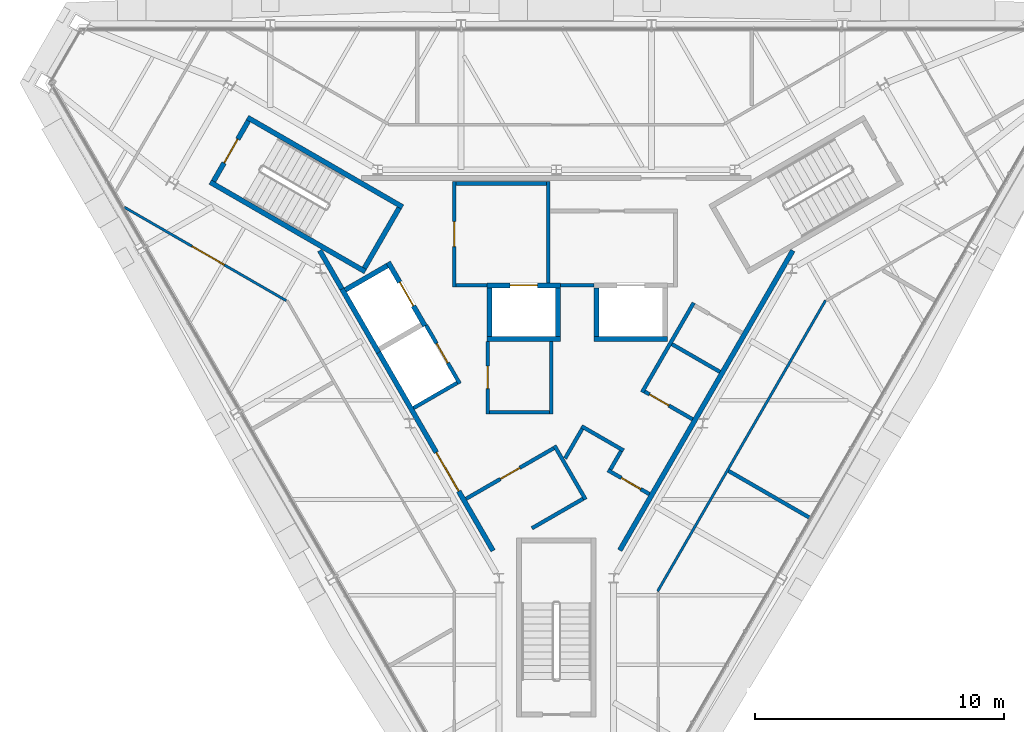
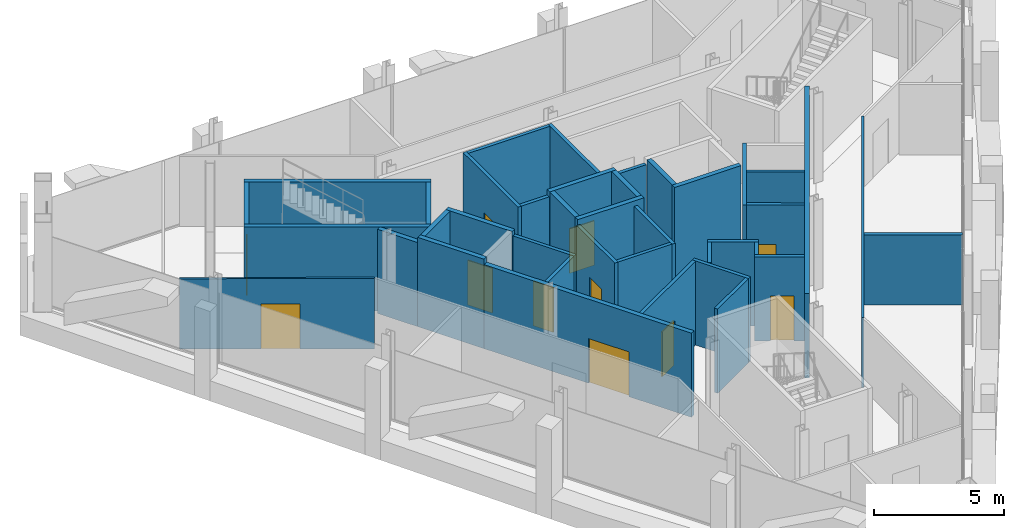
# One storey, part 9 of 13: 39 walls, 11 doors, 11 openings.
"""IFC4 building model written with IfcOpenShell, lengths in metres."""

from ifc_helpers import new_model, si_unit, direction, frame, frame_2d, origin, place, context, subcontext, project, spatial, rectangle, extrude, material, layer, layer_set, type_object, element, fill, save


model = new_model("IFC4")

# Units and contexts
model_context = context("Model", 3, precision=1e-05, world=origin(), true_north=direction((0.0, 1.0)))
body_context = subcontext(model_context, "Body", "Model", "MODEL_VIEW")
ifc_project = project(units=[si_unit("LENGTHUNIT", "METRE"), si_unit("AREAUNIT", "SQUARE_METRE"), si_unit("VOLUMEUNIT", "CUBIC_METRE"), si_unit("PLANEANGLEUNIT", "RADIAN"), si_unit("MASSUNIT", "GRAM", prefix="KILO")], contexts=[model_context])

# Site, building, storey
site_placement = place(None, origin())
site = spatial("IfcSite", under=ifc_project, at=site_placement, CompositionType="ELEMENT")
building_placement = place(site_placement, origin())
building = spatial("IfcBuilding", under=site, at=building_placement, Name="Verrane Prism Tower", CompositionType="ELEMENT")
storey_placement = place(building_placement, frame((0.0, 0.0, 316.800048828125)))
storey = spatial("IfcBuildingStorey", under=building, at=storey_placement, Name="L80", CompositionType="ELEMENT", Elevation=316.800048828125)

# Wall
ifc_material_1 = material(Name="Gypsum board partition", Category="other")
ifc_layer_1 = layer(ifc_material_1, 0.199951171875)
ifc_layer_set_1 = layer_set([ifc_layer_1], Name="CW-200 core boundary wall 2 h")
wall_type_1 = type_object("IfcWallType", Name="CW-200 core boundary wall 2 h", PredefinedType="PARTITIONING", material=ifc_layer_set_1)
wall_1_placement = place(storey_placement, frame((-9.509033203125, 3.550537109375, 0.0), z_axis=(0.0, 0.0, 1.0), x_axis=(0.499999136801, -0.866025902152, 0.0)))
element("IfcWall", 1, at=wall_1_placement, inside=storey, type_object=wall_type_1, Name="Core boundary wall CW3-001", PredefinedType="PARTITIONING", context=body_context, shape_type="SweptSolid", body=[
    extrude(rectangle(XDim=1.7822265625, YDim=0.199951171875, at=frame_2d((0.89111328125, 0.0))), origin(), (0.0, 0.0, 1.0), 3.949951171875),
])

# Wall, opening, door
wall_2_placement = place(storey_placement, frame((-7.14111328125, -0.551025390625, 0.0), z_axis=(0.0, 0.0, 1.0), x_axis=(0.499992795234, -0.866029563418, 0.0)))
wall_2 = element("IfcWall", 2, at=wall_2_placement, inside=storey, type_object=wall_type_1, Name="Core boundary wall CW3-003", PredefinedType="PARTITIONING", context=body_context, shape_type="SweptSolid", body=[
    extrude(rectangle(XDim=9.198486328125, YDim=0.199951171875, at=frame_2d((4.59912109375, 0.0))), origin(), (0.0, 0.0, 1.0), 3.949951171875),
])
opening_1_placement = place(wall_2_placement, frame((4.634033203125, 0.0, 0.0)))
opening_1 = element("IfcOpeningElement", 3, at=opening_1_placement, cuts=wall_2, Name="Opening D80507", PredefinedType="OPENING", context=body_context, shape_type="SweptSolid", body=[
    extrude(rectangle(XDim=1.800048828125, YDim=2.10009765625, at=frame_2d((0.89990234375, 1.050048828125))), frame((0.0, 0.10986328125, 0.0), z_axis=(0.0, -1.0, 0.0), x_axis=(1.0, 0.0, 0.0)), (0.0, 0.0, 1.0), 0.219970703125),
])
ifc_material_2 = material(Name="Timber veneered door leaf", Category="wood")
door_type_1 = type_object("IfcDoorType", Name="DR-1800x2100 FD60 double leaf lift lobby", OperationType="NOTDEFINED", PredefinedType="DOOR", material=ifc_material_2)
door_1_placement = place(opening_1_placement, origin())
door_1 = element("IfcDoor", 4, at=door_1_placement, inside=storey, type_object=door_type_1, Name="Lift lobby door D80507", OperationType="DOUBLE_DOOR_SINGLE_SWING", OverallHeight=2.10009765625, OverallWidth=1.800048828125, PredefinedType="DOOR", context=body_context, shape_type="SweptSolid", body=[
    extrude(rectangle(XDim=1.800048828125, YDim=2.10009765625, at=frame_2d((0.89990234375, 1.050048828125))), frame((0.0, 0.02490234375, 0.0), z_axis=(0.0, -1.0, 0.0), x_axis=(1.0, 0.0, 0.0)), (0.0, 0.0, 1.0), 0.050048828125),
])
fill(opening_1, door_1)

# Wall
wall_3_placement = place(storey_placement, frame((2.552001953125, -8.5, 0.0), z_axis=(0.0, 0.0, 1.0), x_axis=(0.499981156672, 0.866036282712, 0.0)))
element("IfcWall", 5, at=wall_3_placement, inside=storey, type_object=wall_type_1, Name="Core boundary wall CW3-004", PredefinedType="PARTITIONING", context=body_context, shape_type="SweptSolid", body=[
    extrude(rectangle(XDim=13.91455078125, YDim=0.199951171875, at=frame_2d((6.957275390625, 0.0))), origin(), (0.0, 0.0, 1.0), 3.949951171875),
])

# Wall, opening, door
ifc_material_3 = material(Name="Concrete C40/50", Category="concrete")
ifc_layer_2 = layer(ifc_material_3, 0.199951171875)
ifc_layer_set_2 = layer_set([ifc_layer_2], Name="CW-200 stair core wall concrete C40/50 3 h")
wall_type_2 = type_object("IfcWallType", Name="CW-200 stair core wall concrete C40/50 3 h", PredefinedType="PARTITIONING", material=ifc_layer_set_2)
wall_4_placement = place(storey_placement, frame((-12.376953125, 8.762451171875, 0.0), z_axis=(0.0, 0.0, 1.0), x_axis=(-0.500049511043, -0.865996816683, 0.0)))
wall_4 = element("IfcWall", 6, at=wall_4_placement, inside=storey, type_object=wall_type_2, Name="Stair 2 enclosure wall", PredefinedType="PARTITIONING", context=body_context, shape_type="SweptSolid", body=[
    extrude(rectangle(XDim=2.800048828125, YDim=0.199951171875, at=frame_2d((1.39990234375, 0.0))), origin(), (0.0, 0.0, 1.0), 3.949951171875),
])
opening_2_placement = place(wall_4_placement, frame((0.849853515625, 0.0, 0.0)))
opening_2 = element("IfcOpeningElement", 7, at=opening_2_placement, cuts=wall_4, Name="Opening D80501", PredefinedType="OPENING", context=body_context, shape_type="SweptSolid", body=[
    extrude(rectangle(XDim=1.10009765625, YDim=2.10009765625, at=frame_2d((0.550048828125, 1.050048828125))), frame((0.0, 0.10986328125, 0.0), z_axis=(0.0, -1.0, 0.0), x_axis=(1.0, 0.0, 0.0)), (0.0, 0.0, 1.0), 0.219970703125),
])
ifc_material_4 = material(Name="Timber veneered door leaf", Category="wood")
door_type_2 = type_object("IfcDoorType", Name="DR-1100x2100 FD90 single leaf stair", OperationType="NOTDEFINED", PredefinedType="DOOR", material=ifc_material_4)
door_2_placement = place(opening_2_placement, origin())
door_2 = element("IfcDoor", 8, at=door_2_placement, inside=storey, type_object=door_type_2, Name="Stair 2 door", OperationType="SINGLE_SWING_RIGHT", OverallHeight=2.10009765625, OverallWidth=1.10009765625, PredefinedType="DOOR", context=body_context, shape_type="SweptSolid", body=[
    extrude(rectangle(XDim=1.10009765625, YDim=2.10009765625, at=frame_2d((0.550048828125, 1.050048828125))), frame((0.0, 0.02490234375, 0.0), z_axis=(0.0, -1.0, 0.0), x_axis=(1.0, 0.0, 0.0)), (0.0, 0.0, 1.0), 0.050048828125),
])
fill(opening_2, door_2)

# Walls
for number, where, z_axis, x_axis, name in (
    (9, (-7.67822265625, 2.700927734375, 0.0), (0.0, 0.0, 1.0), (-0.866018442252, 0.500012057535, 0.0), "Stair 2 enclosure wall"),
    (10, (-6.17822265625, 5.299072265625, 0.0), (0.0, 0.0, 1.0), (-0.866033125095, 0.499986626058, 0.0), "Stair 2 enclosure wall"),
):
    element("IfcWall", number, at=place(storey_placement, frame(where, z_axis=z_axis, x_axis=x_axis)), inside=storey, type_object=wall_type_2, Name=name, PredefinedType="PARTITIONING", context=body_context, shape_type="SweptSolid", body=[
        extrude(rectangle(XDim=7.199951171875, YDim=0.199951171875, at=frame_2d((3.60009765625, 0.0))), origin(), (0.0, 0.0, 1.0), 3.949951171875),
    ])
wall_5_placement = place(storey_placement, frame((-6.314697265625, 5.262451171875, 0.0), z_axis=(0.0, 0.0, 1.0), x_axis=(-0.500049511043, -0.865996816683, 0.0)))
element("IfcWall", 11, at=wall_5_placement, inside=storey, type_object=wall_type_2, Name="Stair 2 enclosure wall", PredefinedType="PARTITIONING", context=body_context, shape_type="SweptSolid", body=[
    extrude(rectangle(XDim=2.800048828125, YDim=0.199951171875, at=frame_2d((1.39990234375, 0.0))), origin(), (0.0, 0.0, 1.0), 3.949951171875),
])
ifc_material_5 = material(Name="Gypsum board shaft wall assembly", Category="other")
ifc_layer_3 = layer(ifc_material_5, 0.199951171875)
ifc_layer_set_3 = layer_set([ifc_layer_3], Name="HW-200 lift shaft wall 2 h")
wall_type_3 = type_object("IfcWallType", Name="HW-200 lift shaft wall 2 h", PredefinedType="PARTITIONING", material=ifc_layer_set_3)
wall_6_placement = place(storey_placement, frame((-2.784912109375, 0.0, 0.0), z_axis=(0.0, 0.0, 1.0), x_axis=(1.0, 0.0, 0.0)))
element("IfcWall", 12, at=wall_6_placement, inside=storey, type_object=wall_type_3, Name="Lift shaft wall", PredefinedType="PARTITIONING", context=body_context, shape_type="SweptSolid", body=[
    extrude(rectangle(XDim=2.949951171875, YDim=0.199951171875, at=frame_2d((1.47509765625, 0.0))), origin(), (0.0, 0.0, 1.0), 4.199951171875),
])
wall_7_placement = place(storey_placement, frame((1.52490234375, 0.0, 0.0), z_axis=(0.0, 0.0, 1.0), x_axis=(1.0, 0.0, 0.0)))
element("IfcWall", 13, at=wall_7_placement, inside=storey, type_object=wall_type_3, Name="Lift shaft wall", PredefinedType="PARTITIONING", context=body_context, shape_type="SweptSolid", body=[
    extrude(rectangle(XDim=2.9501953125, YDim=0.199951171875, at=frame_2d((1.47509765625, 0.0))), origin(), (0.0, 0.0, 1.0), 4.199951171875),
])

# Wall, opening, door
wall_8_placement = place(storey_placement, frame((-2.784912109375, 2.14990234375, 0.0), z_axis=(0.0, 0.0, 1.0), x_axis=(1.0, 0.0, 0.0)))
wall_8 = element("IfcWall", 14, at=wall_8_placement, inside=storey, type_object=wall_type_3, Name="Lift shaft wall", PredefinedType="PARTITIONING", context=body_context, shape_type="SweptSolid", body=[
    extrude(rectangle(XDim=2.949951171875, YDim=0.199951171875, at=frame_2d((1.47509765625, 0.0))), origin(), (0.0, 0.0, 1.0), 4.199951171875),
])
opening_3_placement = place(wall_8_placement, frame((0.925048828125, 0.0, 0.0)))
opening_3 = element("IfcOpeningElement", 15, at=opening_3_placement, cuts=wall_8, Name="Opening D80503", PredefinedType="OPENING", context=body_context, shape_type="SweptSolid", body=[
    extrude(rectangle(XDim=1.10009765625, YDim=2.10009765625, at=frame_2d((0.550048828125, 1.050048828125))), frame((0.0, 0.10986328125, 0.0), z_axis=(0.0, -1.0, 0.0), x_axis=(1.0, 0.0, 0.0)), (0.0, 0.0, 1.0), 0.219970703125),
])
ifc_material_6 = material(Name="Stainless steel sliding landing door", Category="steel")
door_type_3 = type_object("IfcDoorType", Name="LD-1100x2100 lift landing door FD90 sliding", OperationType="NOTDEFINED", PredefinedType="DOOR", material=ifc_material_6)
door_3_placement = place(opening_3_placement, origin())
door_3 = element("IfcDoor", 16, at=door_3_placement, inside=storey, type_object=door_type_3, Name="Fire service lift 1 landing door", OperationType="SLIDING_TO_LEFT", OverallHeight=2.10009765625, OverallWidth=1.10009765625, PredefinedType="DOOR", context=body_context, shape_type="SweptSolid", body=[
    extrude(rectangle(XDim=1.10009765625, YDim=2.10009765625, at=frame_2d((0.550048828125, 1.050048828125))), frame((0.0, 0.02490234375, 0.0), z_axis=(0.0, -1.0, 0.0), x_axis=(1.0, 0.0, 0.0)), (0.0, 0.0, 1.0), 0.050048828125),
])
fill(opening_3, door_3)

# Walls
for number, where, z_axis, x_axis, name in (
    (17, (-8.48046875, 1.968505859375, 0.0), (0.0, 0.0, 1.0), (0.866000020948, 0.500043961785, 0.0), "Lift shaft wall"),
    (18, (1.625, 0.10009765625, 0.0), (0.0, 0.0, 1.0), (0.0, 1.0, 0.0), "Lift shaft wall"),
    (19, (0.06494140625, 0.10009765625, 0.0), (0.0, 0.0, 1.0), (0.0, 1.0, 0.0), "Lift shaft wall"),
    (20, (-2.68505859375, 0.10009765625, 0.0), (0.0, 0.0, 1.0), (0.0, 1.0, 0.0), "Lift shaft wall"),
):
    element("IfcWall", number, at=place(storey_placement, frame(where, z_axis=z_axis, x_axis=x_axis)), inside=storey, type_object=wall_type_3, Name=name, PredefinedType="PARTITIONING", context=body_context, shape_type="SweptSolid", body=[
        extrude(rectangle(XDim=1.949951171875, YDim=0.199951171875, at=frame_2d((0.97509765625, 0.0))), origin(), (0.0, 0.0, 1.0), 4.199951171875),
    ])

# Wall, opening, door
wall_9_placement = place(storey_placement, frame((-5.280029296875, 0.525390625, 0.0), z_axis=(0.0, 0.0, 1.0), x_axis=(-0.500037662692, 0.866003658127, 0.0)))
wall_9 = element("IfcWall", 21, at=wall_9_placement, inside=storey, type_object=wall_type_3, Name="Lift shaft wall", PredefinedType="PARTITIONING", context=body_context, shape_type="SweptSolid", body=[
    extrude(rectangle(XDim=2.949951171875, YDim=0.199951171875, at=frame_2d((1.47509765625, 0.0))), origin(), (0.0, 0.0, 1.0), 4.199951171875),
])
opening_4_placement = place(wall_9_placement, frame((0.925048828125, 0.0, 0.0)))
opening_4 = element("IfcOpeningElement", 22, at=opening_4_placement, cuts=wall_9, Name="Opening D80505", PredefinedType="OPENING", context=body_context, shape_type="SweptSolid", body=[
    extrude(rectangle(XDim=1.10009765625, YDim=2.10009765625, at=frame_2d((0.550048828125, 1.050048828125))), frame((0.0, 0.10986328125, 0.0), z_axis=(0.0, -1.0, 0.0), x_axis=(1.0, 0.0, 0.0)), (0.0, 0.0, 1.0), 0.219970703125),
])
door_4_placement = place(opening_4_placement, origin())
door_4 = element("IfcDoor", 23, at=door_4_placement, inside=storey, type_object=door_type_3, Name="Service lift 1 landing door", OperationType="SLIDING_TO_LEFT", OverallHeight=2.10009765625, OverallWidth=1.10009765625, PredefinedType="DOOR", context=body_context, shape_type="SweptSolid", body=[
    extrude(rectangle(XDim=1.10009765625, YDim=2.10009765625, at=frame_2d((0.550048828125, 1.050048828125))), frame((0.0, 0.02490234375, 0.0), z_axis=(0.0, -1.0, 0.0), x_axis=(1.0, 0.0, 0.0)), (0.0, 0.0, 1.0), 0.050048828125),
])
fill(opening_4, door_4)

# Wall
wall_10_placement = place(storey_placement, frame((-7.14208984375, -0.549560546875, 0.0), z_axis=(0.0, 0.0, 1.0), x_axis=(-0.49997559174, 0.866039495442, 0.0)))
element("IfcWall", 24, at=wall_10_placement, inside=storey, type_object=wall_type_3, Name="Lift shaft wall", PredefinedType="PARTITIONING", context=body_context, shape_type="SweptSolid", body=[
    extrude(rectangle(XDim=2.949951171875, YDim=0.199951171875, at=frame_2d((1.47509765625, 0.0))), origin(), (0.0, 0.0, 1.0), 4.199951171875),
])

# Wall, opening, door
ifc_material_7 = material(Name="Gypsum board partition", Category="other")
ifc_layer_4 = layer(ifc_material_7, 0.14990234375)
ifc_layer_set_4 = layer_set([ifc_layer_4], Name="LF-150 firefighting lobby wall 1 h")
wall_type_4 = type_object("IfcWallType", Name="LF-150 firefighting lobby wall 1 h", PredefinedType="PARTITIONING", material=ifc_layer_set_4)
wall_11_placement = place(storey_placement, frame((-4.10009765625, 2.0849609375, 0.0), z_axis=(0.0, 0.0, 1.0), x_axis=(0.0, 1.0, 0.0)))
wall_11 = element("IfcWall", 25, at=wall_11_placement, inside=storey, type_object=wall_type_4, Name="Firefighting lobby wall LF1-001", PredefinedType="PARTITIONING", context=body_context, shape_type="SweptSolid", body=[
    extrude(rectangle(XDim=4.22998046875, YDim=0.14990234375, at=frame_2d((2.114990234375, 0.0))), origin(), (0.0, 0.0, 1.0), 3.949951171875),
])
opening_5_placement = place(wall_11_placement, frame((1.625, 0.0, 0.0)))
opening_5 = element("IfcOpeningElement", 26, at=opening_5_placement, cuts=wall_11, Name="Opening D80509", PredefinedType="OPENING", context=body_context, shape_type="SweptSolid", body=[
    extrude(rectangle(XDim=1.0, YDim=2.10009765625, at=frame_2d((0.5, 1.050048828125))), frame((0.0, 0.0849609375, 0.0), z_axis=(0.0, -1.0, 0.0), x_axis=(1.0, 0.0, 0.0)), (0.0, 0.0, 1.0), 0.169921875),
])
ifc_material_8 = material(Name="Timber veneered door leaf", Category="wood")
door_type_4 = type_object("IfcDoorType", Name="DR-1000x2100 FD60 single leaf firefighting lobby", OperationType="NOTDEFINED", PredefinedType="DOOR", material=ifc_material_8)
door_5_placement = place(opening_5_placement, origin())
door_5 = element("IfcDoor", 27, at=door_5_placement, inside=storey, type_object=door_type_4, Name="Firefighting lobby door D80509", OperationType="SINGLE_SWING_LEFT", OverallHeight=2.10009765625, OverallWidth=1.0, PredefinedType="DOOR", context=body_context, shape_type="SweptSolid", body=[
    extrude(rectangle(XDim=1.0, YDim=2.10009765625, at=frame_2d((0.5, 1.050048828125))), frame((0.0, 0.02490234375, 0.0), z_axis=(0.0, -1.0, 0.0), x_axis=(1.0, 0.0, 0.0)), (0.0, 0.0, 1.0), 0.050048828125),
])
fill(opening_5, door_5)

# Walls
wall_12_placement = place(storey_placement, frame((-4.02490234375, 2.159912109375, 0.0), z_axis=(0.0, 0.0, 1.0), x_axis=(1.0, 0.0, 0.0)))
element("IfcWall", 28, at=wall_12_placement, inside=storey, type_object=wall_type_4, Name="Firefighting lobby wall LF1-002", PredefinedType="PARTITIONING", context=body_context, shape_type="SweptSolid", body=[
    extrude(rectangle(XDim=1.23779296875, YDim=0.14990234375, at=frame_2d((0.618896484375, 0.0))), origin(), (0.0, 0.0, 1.0), 3.949951171875),
])
wall_13_placement = place(storey_placement, frame((-4.02490234375, 6.239990234375, 0.0), z_axis=(0.0, 0.0, 1.0), x_axis=(1.0, 0.0, 0.0)))
element("IfcWall", 29, at=wall_13_placement, inside=storey, type_object=wall_type_4, Name="Firefighting lobby wall LF1-003", PredefinedType="PARTITIONING", context=body_context, shape_type="SweptSolid", body=[
    extrude(rectangle(XDim=3.6298828125, YDim=0.14990234375, at=frame_2d((1.81494140625, 0.0))), origin(), (0.0, 0.0, 1.0), 3.949951171875),
])
wall_14_placement = place(storey_placement, frame((-0.320068359375, 2.251953125, 0.0), z_axis=(0.0, 0.0, 1.0), x_axis=(0.0, 1.0, 0.0)))
element("IfcWall", 30, at=wall_14_placement, inside=storey, type_object=wall_type_4, Name="Firefighting lobby wall LF1-004", PredefinedType="PARTITIONING", context=body_context, shape_type="SweptSolid", body=[
    extrude(rectangle(XDim=4.06298828125, YDim=0.14990234375, at=frame_2d((2.031494140625, 0.0))), origin(), (0.0, 0.0, 1.0), 3.949951171875),
])
wall_15_placement = place(storey_placement, frame((0.1669921875, 2.159912109375, 0.0), z_axis=(0.0, 0.0, 1.0), x_axis=(1.0, 0.0, 0.0)))
element("IfcWall", 31, at=wall_15_placement, inside=storey, type_object=wall_type_4, Name="Firefighting lobby wall LF1-006", PredefinedType="PARTITIONING", context=body_context, shape_type="SweptSolid", body=[
    extrude(rectangle(XDim=1.35595703125, YDim=0.14990234375, at=frame_2d((0.677978515625, 0.0))), origin(), (0.0, 0.0, 1.0), 3.949951171875),
])

# Wall, opening, door
ifc_material_9 = material(Name="Gypsum board partition", Category="other")
ifc_layer_5 = layer(ifc_material_9, 0.10009765625)
ifc_layer_set_5 = layer_set([ifc_layer_5], Name="PW-100 crown corridor wall 1 h")
wall_type_5 = type_object("IfcWallType", Name="PW-100 crown corridor wall 1 h", PredefinedType="PARTITIONING", material=ifc_layer_set_5)
wall_16_placement = place(storey_placement, frame((-10.858642578125, 1.537109375, 0.0), z_axis=(0.0, 0.0, 1.0), x_axis=(-0.866105995393, 0.499860385252, 0.0)))
wall_16 = element("IfcWall", 32, at=wall_16_placement, inside=storey, type_object=wall_type_5, Name="Corridor wall 002", PredefinedType="PARTITIONING", context=body_context, shape_type="SweptSolid", body=[
    extrude(rectangle(XDim=7.508056640625, YDim=0.10009765625, at=frame_2d((3.75390625, 0.0))), origin(), (0.0, 0.0, 1.0), 3.296875),
])
opening_6_placement = place(wall_16_placement, frame((2.871826171875, 0.0, 0.0)))
opening_6 = element("IfcOpeningElement", 33, at=opening_6_placement, cuts=wall_16, Name="Opening D80005", PredefinedType="OPENING", context=body_context, shape_type="SweptSolid", body=[
    extrude(rectangle(XDim=1.5, YDim=2.10009765625, at=frame_2d((0.75, 1.050048828125))), frame((0.0, 0.06005859375, 0.0), z_axis=(0.0, -1.0, 0.0), x_axis=(1.0, 0.0, 0.0)), (0.0, 0.0, 1.0), 0.1201171875),
])
ifc_material_10 = material(Name="Timber veneered door leaf", Category="wood")
door_type_5 = type_object("IfcDoorType", Name="DR-1500x2100 FD60 double leaf unit", OperationType="NOTDEFINED", PredefinedType="DOOR", material=ifc_material_10)
door_6_placement = place(opening_6_placement, origin())
door_6 = element("IfcDoor", 34, at=door_6_placement, inside=storey, type_object=door_type_5, Name="Mechanical Plant Room door", OperationType="DOUBLE_DOOR_SINGLE_SWING", OverallHeight=2.10009765625, OverallWidth=1.5, PredefinedType="DOOR", context=body_context, shape_type="SweptSolid", body=[
    extrude(rectangle(XDim=1.5, YDim=2.10009765625, at=frame_2d((0.75, 1.050048828125))), frame((0.0, 0.02490234375, 0.0), z_axis=(0.0, -1.0, 0.0), x_axis=(1.0, 0.0, 0.0)), (0.0, 0.0, 1.0), 0.050048828125),
])
fill(opening_6, door_6)

# Walls
wall_17_placement = place(storey_placement, frame((4.074951171875, -10.145263671875, 0.0), z_axis=(0.0, 0.0, 1.0), x_axis=(0.499912942625, 0.866075660549, 0.0)))
element("IfcWall", 35, at=wall_17_placement, inside=storey, type_object=wall_type_5, Name="Corridor wall 013", PredefinedType="PARTITIONING", context=body_context, shape_type="SweptSolid", body=[
    extrude(rectangle(XDim=13.49853515625, YDim=0.10009765625, at=frame_2d((6.749267578125, 0.0))), origin(), (0.0, 0.0, 1.0), 3.296875),
])
ifc_material_11 = material(Name="Gypsum board partition", Category="other")
ifc_layer_6 = layer(ifc_material_11, 0.14990234375)
ifc_layer_set_6 = layer_set([ifc_layer_6], Name="PW-150 demising wall 1 h")
wall_type_6 = type_object("IfcWallType", Name="PW-150 demising wall 1 h", PredefinedType="PARTITIONING", material=ifc_layer_set_6)
wall_18_placement = place(storey_placement, frame((6.92431640625, -5.30908203125, 0.0), z_axis=(0.0, 0.0, 1.0), x_axis=(0.866029704776, -0.49999255039, 0.0)))
element("IfcWall", 36, at=wall_18_placement, inside=storey, type_object=wall_type_6, Name="Demising wall 015", PredefinedType="PARTITIONING", context=body_context, shape_type="SweptSolid", body=[
    extrude(rectangle(XDim=3.78173828125, YDim=0.14990234375, at=frame_2d((1.890869140625, 0.0))), origin(), (0.0, 0.0, 1.0), 3.296875),
])
ifc_material_12 = material(Name="Gypsum board partition", Category="other")
ifc_layer_7 = layer(ifc_material_12, 0.14990234375)
ifc_layer_set_7 = layer_set([ifc_layer_7], Name="RS-150 riser enclosure wall 1 h")
wall_type_7 = type_object("IfcWallType", Name="RS-150 riser enclosure wall 1 h", PredefinedType="PARTITIONING", material=ifc_layer_set_7)
wall_19_placement = place(storey_placement, frame((-5.7373046875, -2.781982421875, 0.0), z_axis=(0.0, 0.0, 1.0), x_axis=(0.866000843773, 0.500042536776, 0.0)))
element("IfcWall", 37, at=wall_19_placement, inside=storey, type_object=wall_type_7, Name="Riser wall RS3-001", PredefinedType="PARTITIONING", context=body_context, shape_type="SweptSolid", body=[
    extrude(rectangle(XDim=2.024658203125, YDim=0.14990234375, at=frame_2d((1.01220703125, 0.0))), origin(), (0.0, 0.0, 1.0), 3.949951171875),
])

# Wall, opening, door
wall_20_placement = place(storey_placement, frame((-3.881591796875, -1.796875, 0.0), z_axis=(0.0, 0.0, 1.0), x_axis=(-0.500016307898, 0.86601598821, 0.0)))
wall_20 = element("IfcWall", 38, at=wall_20_placement, inside=storey, type_object=wall_type_7, Name="Riser wall RS3-002", PredefinedType="PARTITIONING", context=body_context, shape_type="SweptSolid", body=[
    extrude(rectangle(XDim=2.708984375, YDim=0.14990234375, at=frame_2d((1.3544921875, 0.0))), origin(), (0.0, 0.0, 1.0), 3.949951171875),
])
opening_7_placement = place(wall_20_placement, frame((0.958984375, 0.0, 0.0)))
opening_7 = element("IfcOpeningElement", 39, at=opening_7_placement, cuts=wall_20, Name="Opening D80508", PredefinedType="OPENING", context=body_context, shape_type="SweptSolid", body=[
    extrude(rectangle(XDim=0.89990234375, YDim=2.10009765625, at=frame_2d((0.449951171875, 1.050048828125))), frame((0.0, 0.0849609375, 0.0), z_axis=(0.0, -1.0, 0.0), x_axis=(1.0, 0.0, 0.0)), (0.0, 0.0, 1.0), 0.169921875),
])
ifc_material_13 = material(Name="Timber veneered door leaf", Category="wood")
door_type_6 = type_object("IfcDoorType", Name="DR-900x2100 FD60 single leaf riser", OperationType="NOTDEFINED", PredefinedType="DOOR", material=ifc_material_13)
door_7_placement = place(opening_7_placement, origin())
door_7 = element("IfcDoor", 40, at=door_7_placement, inside=storey, type_object=door_type_6, Name="Riser door D80508", OperationType="SINGLE_SWING_LEFT", OverallHeight=2.10009765625, OverallWidth=0.89990234375, PredefinedType="DOOR", context=body_context, shape_type="SweptSolid", body=[
    extrude(rectangle(XDim=0.89990234375, YDim=2.10009765625, at=frame_2d((0.449951171875, 1.050048828125))), frame((0.0, 0.02490234375, 0.0), z_axis=(0.0, -1.0, 0.0), x_axis=(1.0, 0.0, 0.0)), (0.0, 0.0, 1.0), 0.050048828125),
])
fill(opening_7, door_7)

wall_21_placement = place(storey_placement, frame((-0.10107421875, -4.39453125, 0.0), z_axis=(0.0, 0.0, 1.0), x_axis=(-0.866045745349, -0.499964765721, 0.0)))
wall_21 = element("IfcWall", 41, at=wall_21_placement, inside=storey, type_object=wall_type_7, Name="Riser wall RS3-003", PredefinedType="PARTITIONING", context=body_context, shape_type="SweptSolid", body=[
    extrude(rectangle(XDim=4.070068359375, YDim=0.14990234375, at=frame_2d((2.03515625, 0.0))), origin(), (0.0, 0.0, 1.0), 3.949951171875),
])
opening_8_placement = place(wall_21_placement, frame((1.575439453125, 0.0, 0.0)))
opening_8 = element("IfcOpeningElement", 42, at=opening_8_placement, cuts=wall_21, Name="Opening D80510", PredefinedType="OPENING", context=body_context, shape_type="SweptSolid", body=[
    extrude(rectangle(XDim=0.89990234375, YDim=2.10009765625, at=frame_2d((0.449951171875, 1.050048828125))), frame((0.0, 0.0849609375, 0.0), z_axis=(0.0, -1.0, 0.0), x_axis=(1.0, 0.0, 0.0)), (0.0, 0.0, 1.0), 0.169921875),
])
ifc_material_14 = material(Name="Timber veneered door leaf", Category="wood")
door_type_7 = type_object("IfcDoorType", Name="DR-900x2100 FD20 single leaf store", OperationType="NOTDEFINED", PredefinedType="DOOR", material=ifc_material_14)
door_8_placement = place(opening_8_placement, origin())
door_8 = element("IfcDoor", 43, at=door_8_placement, inside=storey, type_object=door_type_7, Name="Room door D80510", OperationType="SINGLE_SWING_RIGHT", OverallHeight=2.10009765625, OverallWidth=0.89990234375, PredefinedType="DOOR", context=body_context, shape_type="SweptSolid", body=[
    extrude(rectangle(XDim=0.89990234375, YDim=2.10009765625, at=frame_2d((0.449951171875, 1.050048828125))), frame((0.0, 0.02490234375, 0.0), z_axis=(0.0, -1.0, 0.0), x_axis=(1.0, 0.0, 0.0)), (0.0, 0.0, 1.0), 0.050048828125),
])
fill(opening_8, door_8)

wall_22_placement = place(storey_placement, frame((-2.7548828125, -0.10205078125, 0.0), z_axis=(0.0, 0.0, 1.0), x_axis=(0.0, -1.0, 0.0)))
wall_22 = element("IfcWall", 44, at=wall_22_placement, inside=storey, type_object=wall_type_7, Name="Riser wall RS3-004", PredefinedType="PARTITIONING", context=body_context, shape_type="SweptSolid", body=[
    extrude(rectangle(XDim=2.9228515625, YDim=0.14990234375, at=frame_2d((1.46142578125, 0.0))), origin(), (0.0, 0.0, 1.0), 3.949951171875),
])
opening_9_placement = place(wall_22_placement, frame((0.998046875, 0.0, 0.0)))
opening_9 = element("IfcOpeningElement", 45, at=opening_9_placement, cuts=wall_22, Name="Opening D80511", PredefinedType="OPENING", context=body_context, shape_type="SweptSolid", body=[
    extrude(rectangle(XDim=0.89990234375, YDim=2.10009765625, at=frame_2d((0.449951171875, 1.050048828125))), frame((0.0, 0.0849609375, 0.0), z_axis=(0.0, -1.0, 0.0), x_axis=(1.0, 0.0, 0.0)), (0.0, 0.0, 1.0), 0.169921875),
])
door_9_placement = place(opening_9_placement, origin())
door_9 = element("IfcDoor", 46, at=door_9_placement, inside=storey, type_object=door_type_7, Name="Room door D80511", OperationType="SINGLE_SWING_LEFT", OverallHeight=2.10009765625, OverallWidth=0.89990234375, PredefinedType="DOOR", context=body_context, shape_type="SweptSolid", body=[
    extrude(rectangle(XDim=0.89990234375, YDim=2.10009765625, at=frame_2d((0.449951171875, 1.050048828125))), frame((0.0, 0.02490234375, 0.0), z_axis=(0.0, -1.0, 0.0), x_axis=(1.0, 0.0, 0.0)), (0.0, 0.0, 1.0), 0.050048828125),
])
fill(opening_9, door_9)

# Walls
wall_23_placement = place(storey_placement, frame((-2.679931640625, -2.949951171875, 0.0), z_axis=(0.0, 0.0, 1.0), x_axis=(1.0, 0.0, 0.0)))
element("IfcWall", 47, at=wall_23_placement, inside=storey, type_object=wall_type_7, Name="Riser wall RS3-005", PredefinedType="PARTITIONING", context=body_context, shape_type="SweptSolid", body=[
    extrude(rectangle(XDim=2.39990234375, YDim=0.14990234375, at=frame_2d((1.199951171875, 0.0))), origin(), (0.0, 0.0, 1.0), 3.949951171875),
])
wall_24_placement = place(storey_placement, frame((-0.97998046875, -7.614990234375, 0.0), z_axis=(0.0, 0.0, 1.0), x_axis=(0.866081021932, 0.499903654166, 0.0)))
element("IfcWall", 48, at=wall_24_placement, inside=storey, type_object=wall_type_7, Name="Riser wall RS3-006", PredefinedType="PARTITIONING", context=body_context, shape_type="SweptSolid", body=[
    extrude(rectangle(XDim=2.37158203125, YDim=0.14990234375, at=frame_2d((1.185791015625, 0.0))), origin(), (0.0, 0.0, 1.0), 3.949951171875),
])
wall_25_placement = place(storey_placement, frame((-0.205078125, -3.02490234375, 0.0), z_axis=(0.0, 0.0, 1.0), x_axis=(0.0, 1.0, 0.0)))
element("IfcWall", 49, at=wall_25_placement, inside=storey, type_object=wall_type_7, Name="Riser wall RS3-007", PredefinedType="PARTITIONING", context=body_context, shape_type="SweptSolid", body=[
    extrude(rectangle(XDim=2.9228515625, YDim=0.14990234375, at=frame_2d((1.46142578125, 0.0))), origin(), (0.0, 0.0, 1.0), 3.949951171875),
])
wall_26_placement = place(storey_placement, frame((-0.073486328125, -4.2919921875, 0.0), z_axis=(0.0, 0.0, 1.0), x_axis=(0.500004234368, -0.866022959057, 0.0)))
element("IfcWall", 50, at=wall_26_placement, inside=storey, type_object=wall_type_7, Name="Riser wall RS3-008", PredefinedType="PARTITIONING", context=body_context, shape_type="SweptSolid", body=[
    extrude(rectangle(XDim=2.5, YDim=0.14990234375, at=frame_2d((1.25, 0.0))), origin(), (0.0, 0.0, 1.0), 3.949951171875),
])
wall_27_placement = place(storey_placement, frame((0.35400390625, -4.806396484375, 0.0), z_axis=(0.0, 0.0, 1.0), x_axis=(0.499804398801, 0.866138304741, 0.0)))
element("IfcWall", 51, at=wall_27_placement, inside=storey, type_object=wall_type_7, Name="Riser wall RS3-009", PredefinedType="PARTITIONING", context=body_context, shape_type="SweptSolid", body=[
    extrude(rectangle(XDim=1.37548828125, YDim=0.14990234375, at=frame_2d((0.687744140625, 0.0))), origin(), (0.0, 0.0, 1.0), 3.949951171875),
])
wall_28_placement = place(storey_placement, frame((1.01416015625, -3.512451171875, 0.0), z_axis=(0.0, 0.0, 1.0), x_axis=(0.866000020948, -0.500043961785, 0.0)))
element("IfcWall", 52, at=wall_28_placement, inside=storey, type_object=wall_type_7, Name="Riser wall RS3-010", PredefinedType="PARTITIONING", context=body_context, shape_type="SweptSolid", body=[
    extrude(rectangle(XDim=1.949951171875, YDim=0.14990234375, at=frame_2d((0.97509765625, 0.0))), origin(), (0.0, 0.0, 1.0), 3.949951171875),
])
wall_29_placement = place(storey_placement, frame((2.175537109375, -5.2509765625, 0.0), z_axis=(0.0, 0.0, 1.0), x_axis=(0.500062241894, 0.865989465428, 0.0)))
element("IfcWall", 53, at=wall_29_placement, inside=storey, type_object=wall_type_7, Name="Riser wall RS3-011", PredefinedType="PARTITIONING", context=body_context, shape_type="SweptSolid", body=[
    extrude(rectangle(XDim=0.85009765625, YDim=0.14990234375, at=frame_2d((0.425048828125, 0.0))), origin(), (0.0, 0.0, 1.0), 3.949951171875),
])

# Wall, opening, door
wall_30_placement = place(storey_placement, frame((3.740478515625, -6.240966796875, 0.0), z_axis=(0.0, 0.0, 1.0), x_axis=(-0.86609690551, 0.499876134923, 0.0)))
wall_30 = element("IfcWall", 54, at=wall_30_placement, inside=storey, type_object=wall_type_7, Name="Riser wall RS3-012", PredefinedType="PARTITIONING", context=body_context, shape_type="SweptSolid", body=[
    extrude(rectangle(XDim=1.92529296875, YDim=0.14990234375, at=frame_2d((0.962646484375, 0.0))), origin(), (0.0, 0.0, 1.0), 3.949951171875),
])
opening_10_placement = place(wall_30_placement, frame((0.400146484375, 0.0, 0.0)))
opening_10 = element("IfcOpeningElement", 55, at=opening_10_placement, cuts=wall_30, Name="Opening D80513", PredefinedType="OPENING", context=body_context, shape_type="SweptSolid", body=[
    extrude(rectangle(XDim=0.89990234375, YDim=2.10009765625, at=frame_2d((0.449951171875, 1.050048828125))), frame((0.0, 0.0849609375, 0.0), z_axis=(0.0, -1.0, 0.0), x_axis=(1.0, 0.0, 0.0)), (0.0, 0.0, 1.0), 0.169921875),
])
door_10_placement = place(opening_10_placement, origin())
door_10 = element("IfcDoor", 56, at=door_10_placement, inside=storey, type_object=door_type_7, Name="Room door D80513", OperationType="SINGLE_SWING_RIGHT", OverallHeight=2.10009765625, OverallWidth=0.89990234375, PredefinedType="DOOR", context=body_context, shape_type="SweptSolid", body=[
    extrude(rectangle(XDim=0.89990234375, YDim=2.10009765625, at=frame_2d((0.449951171875, 1.050048828125))), frame((0.0, 0.02490234375, 0.0), z_axis=(0.0, -1.0, 0.0), x_axis=(1.0, 0.0, 0.0)), (0.0, 0.0, 1.0), 0.050048828125),
])
fill(opening_10, door_10)

# Wall
wall_31_placement = place(storey_placement, frame((3.448486328125, -2.14697265625, 0.0), z_axis=(0.0, 0.0, 1.0), x_axis=(0.499992353047, 0.86602981871, 0.0)))
element("IfcWall", 57, at=wall_31_placement, inside=storey, type_object=wall_type_7, Name="Riser wall RS3-013", PredefinedType="PARTITIONING", context=body_context, shape_type="SweptSolid", body=[
    extrude(rectangle(XDim=4.14990234375, YDim=0.14990234375, at=frame_2d((2.074951171875, 0.0))), origin(), (0.0, 0.0, 1.0), 3.949951171875),
])

# Wall, opening, door
wall_32_placement = place(storey_placement, frame((3.551025390625, -2.119384765625, 0.0), z_axis=(0.0, 0.0, 1.0), x_axis=(0.865944298464, -0.500140452231, 0.0)))
wall_32 = element("IfcWall", 58, at=wall_32_placement, inside=storey, type_object=wall_type_7, Name="Riser wall RS3-014", PredefinedType="PARTITIONING", context=body_context, shape_type="SweptSolid", body=[
    extrude(rectangle(XDim=2.224365234375, YDim=0.14990234375, at=frame_2d((1.1123046875, 0.0))), origin(), (0.0, 0.0, 1.0), 3.949951171875),
])
opening_11_placement = place(wall_32_placement, frame((0.22509765625, 0.0, 0.0)))
opening_11 = element("IfcOpeningElement", 59, at=opening_11_placement, cuts=wall_32, Name="Opening D80514", PredefinedType="OPENING", context=body_context, shape_type="SweptSolid", body=[
    extrude(rectangle(XDim=0.89990234375, YDim=2.10009765625, at=frame_2d((0.449951171875, 1.050048828125))), frame((0.0, 0.0849609375, 0.0), z_axis=(0.0, -1.0, 0.0), x_axis=(1.0, 0.0, 0.0)), (0.0, 0.0, 1.0), 0.169921875),
])
door_11_placement = place(opening_11_placement, origin())
door_11 = element("IfcDoor", 60, at=door_11_placement, inside=storey, type_object=door_type_6, Name="Riser door D80514", OperationType="SINGLE_SWING_LEFT", OverallHeight=2.10009765625, OverallWidth=0.89990234375, PredefinedType="DOOR", context=body_context, shape_type="SweptSolid", body=[
    extrude(rectangle(XDim=0.89990234375, YDim=2.10009765625, at=frame_2d((0.449951171875, 1.050048828125))), frame((0.0, 0.02490234375, 0.0), z_axis=(0.0, -1.0, 0.0), x_axis=(1.0, 0.0, 0.0)), (0.0, 0.0, 1.0), 0.050048828125),
])
fill(opening_11, door_11)

# Wall
wall_33_placement = place(storey_placement, frame((4.65087890625, -0.214599609375, 0.0), z_axis=(0.0, 0.0, 1.0), x_axis=(0.866019272134, -0.50001062018, 0.0)))
element("IfcWall", 61, at=wall_33_placement, inside=storey, type_object=wall_type_7, Name="Riser wall RS3-015", PredefinedType="PARTITIONING", context=body_context, shape_type="SweptSolid", body=[
    extrude(rectangle(XDim=2.224609375, YDim=0.14990234375, at=frame_2d((1.1123046875, 0.0))), origin(), (0.0, 0.0, 1.0), 3.949951171875),
])

save(model, "model.ifc")
